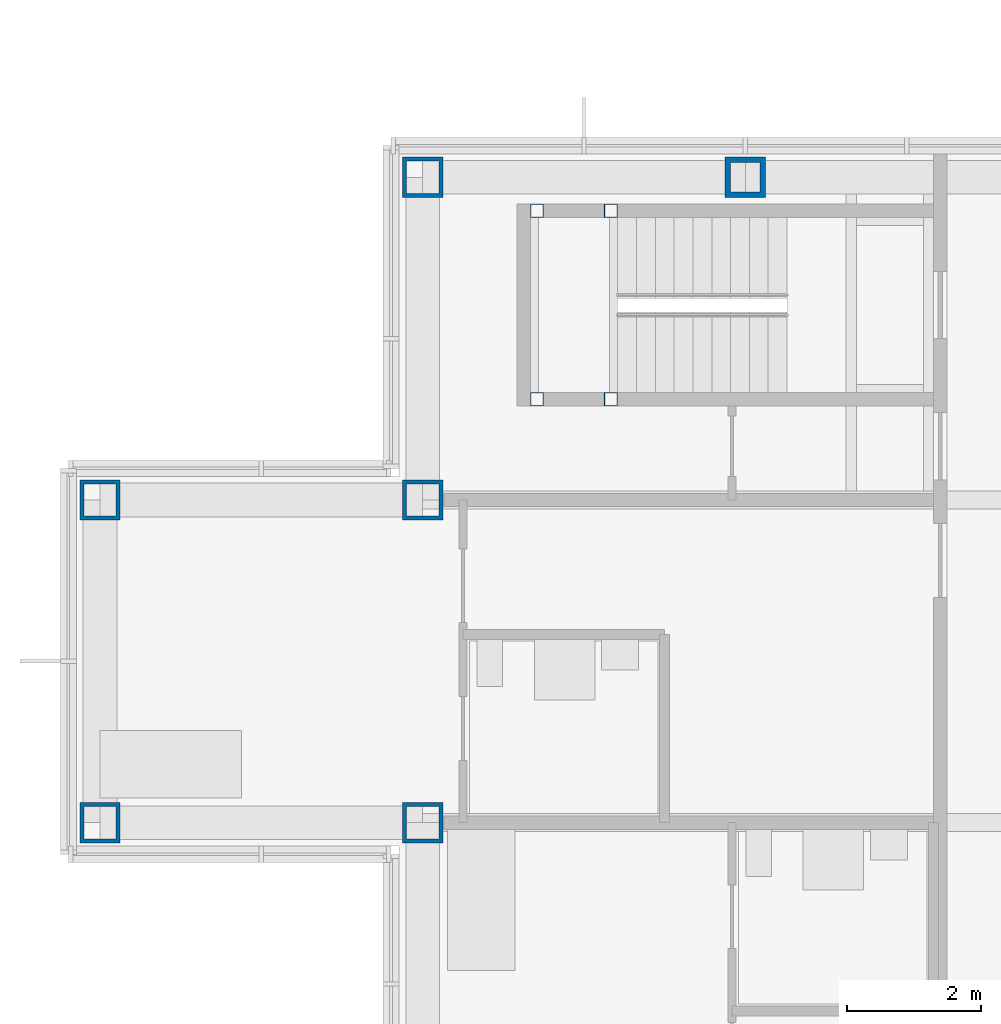
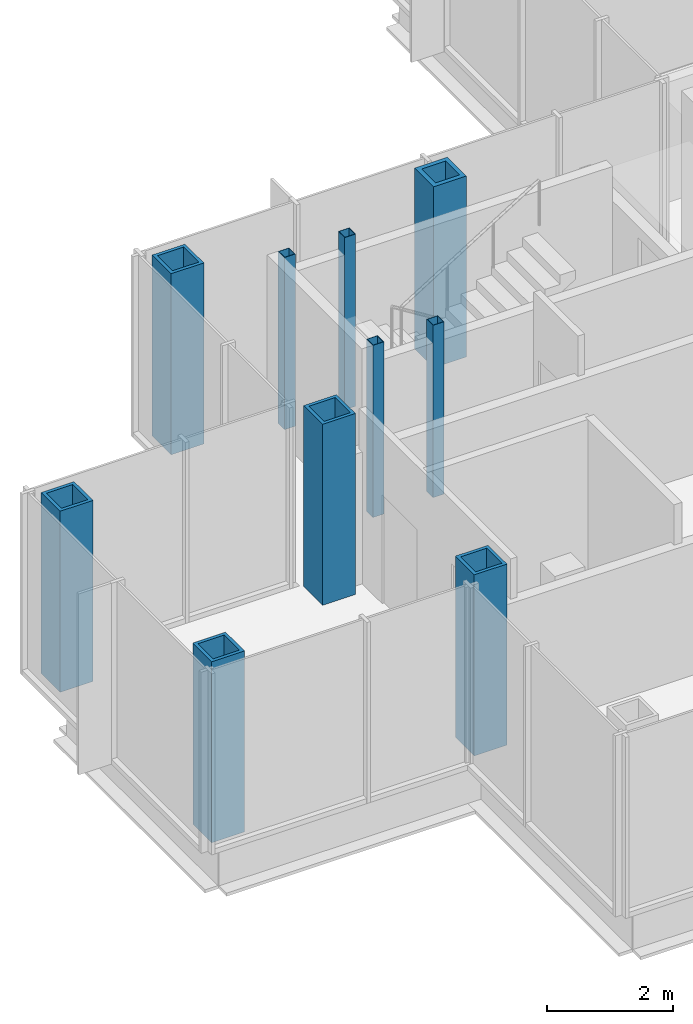
# One storey, part 3 of 17: 10 columns.
"""IFC4 building model written with IfcOpenShell, lengths in metres."""

from ifc_helpers import new_model, si_unit, direction, frame, origin, origin_2d, place, context, subcontext, project, spatial, hollow_rectangle, extrude, material, material_profile, profile_set, type_object, element, save


model = new_model("IFC4")

# Units and contexts
model_context = context("Model", 3, precision=1e-05, world=origin(), true_north=direction((0.0, 1.0)))
body_context = subcontext(model_context, "Body", "Model", "MODEL_VIEW")
ifc_project = project(units=[si_unit("LENGTHUNIT", "METRE"), si_unit("AREAUNIT", "SQUARE_METRE"), si_unit("VOLUMEUNIT", "CUBIC_METRE"), si_unit("PLANEANGLEUNIT", "RADIAN"), si_unit("MASSUNIT", "GRAM", prefix="KILO")], contexts=[model_context])

# Site, building, storey
site_placement = place(None, origin())
site = spatial("IfcSite", under=ifc_project, at=site_placement, CompositionType="ELEMENT")
building_placement = place(site_placement, origin())
building = spatial("IfcBuilding", under=site, at=building_placement, Name="Kvirike Care Tower", CompositionType="ELEMENT")
storey_placement = place(building_placement, frame((0.0, 0.0, 155.0)))
storey = spatial("IfcBuildingStorey", under=building, at=storey_placement, Name="L42", CompositionType="ELEMENT", Elevation=155.0)

# Columns
ifc_material_1 = material(Name="Steel S460", Category="steel")
ifc_material_profile_1 = material_profile(ifc_material_1, hollow_rectangle(XDim=0.60009765625, YDim=0.60009765625, WallThickness=0.06005859375, at=origin_2d()), Name="BX 600x600x60")
ifc_profile_set_1 = profile_set([ifc_material_profile_1], Name="Steel S460")
column_type_1 = type_object("IfcColumnType", Name="COLUMN BX 600x600x60", PredefinedType="COLUMN", material=ifc_profile_set_1)
for number, where, z_axis, x_axis, name in (
    (1, (0.0, 33.60009765625, 0.0), (0.0, 0.0, 1.0), (0.0, 1.0, 0.0), "Column H3 L42"),
    (2, (0.0, 38.39990234375, 0.0), (0.0, 0.0, 1.0), (0.0, 1.0, 0.0), "Column J3 L42"),
    (3, (4.800048828125, 33.60009765625, 0.0), (0.0, 0.0, 1.0), (0.0, 1.0, 0.0), "Column H4 L42"),
    (4, (4.800048828125, 38.39990234375, 0.0), (0.0, 0.0, 1.0), (0.0, 1.0, 0.0), "Column J4 L42"),
    (5, (4.800048828125, 43.199951171875, 0.0), (0.0, 0.0, 1.0), (0.0, 1.0, 0.0), "Column K4 L42"),
):
    element("IfcColumn", number, at=place(storey_placement, frame(where, z_axis=z_axis, x_axis=x_axis)), inside=storey, type_object=column_type_1, Name=name, PredefinedType="COLUMN", context=body_context, shape_type="SweptSolid", body=[
        extrude(hollow_rectangle(XDim=0.60009765625, YDim=0.60009765625, WallThickness=0.06005859375, at=origin_2d()), origin(), (0.0, 0.0, 1.0), 3.5),
    ])
ifc_material_2 = material(Name="Steel S460", Category="steel")
ifc_material_profile_2 = material_profile(ifc_material_2, hollow_rectangle(XDim=0.60009765625, YDim=0.60009765625, WallThickness=0.080078125, at=origin_2d()), Name="BX 600x600x80")
ifc_profile_set_2 = profile_set([ifc_material_profile_2], Name="Steel S460")
column_type_2 = type_object("IfcColumnType", Name="COLUMN BX 600x600x80", PredefinedType="COLUMN", material=ifc_profile_set_2)
column_placement = place(storey_placement, frame((9.60009765625, 43.199951171875, 0.0), z_axis=(0.0, 0.0, 1.0), x_axis=(0.0, 1.0, 0.0)))
element("IfcColumn", 6, at=column_placement, inside=storey, type_object=column_type_2, Name="Column K5 L42", PredefinedType="COLUMN", context=body_context, shape_type="SweptSolid", body=[
    extrude(hollow_rectangle(XDim=0.60009765625, YDim=0.60009765625, WallThickness=0.080078125, at=origin_2d()), origin(), (0.0, 0.0, 1.0), 3.5),
])
ifc_material_3 = material(Name="Steel S460", Category="steel")
ifc_material_profile_3 = material_profile(ifc_material_3, hollow_rectangle(XDim=0.199951171875, YDim=0.199951171875, WallThickness=0.008056640625, at=origin_2d()), Name="SHS 200x200x8")
ifc_profile_set_3 = profile_set([ifc_material_profile_3], Name="Steel S460")
column_type_3 = type_object("IfcColumnType", Name="STAIR POST SHS 200x200x8", PredefinedType="COLUMN", material=ifc_profile_set_3)
for number, where, z_axis, x_axis, name in (
    (7, (6.5, 42.699951171875, 0.0), (0.0, 0.0, 1.0), (1.0, 0.0, 0.0), "Stair 1 post 1 L42"),
    (8, (6.5, 39.89990234375, 0.0), (0.0, 0.0, 1.0), (1.0, 0.0, 0.0), "Stair 1 post 2 L42"),
    (9, (7.60009765625, 42.699951171875, 0.0), (0.0, 0.0, 1.0), (1.0, 0.0, 0.0), "Stair 1 post 3 L42"),
    (10, (7.60009765625, 39.89990234375, 0.0), (0.0, 0.0, 1.0), (1.0, 0.0, 0.0), "Stair 1 post 4 L42"),
):
    element("IfcColumn", number, at=place(storey_placement, frame(where, z_axis=z_axis, x_axis=x_axis)), inside=storey, type_object=column_type_3, Name=name, PredefinedType="COLUMN", context=body_context, shape_type="SweptSolid", body=[
        extrude(hollow_rectangle(XDim=0.199951171875, YDim=0.199951171875, WallThickness=0.008056640625, at=origin_2d()), origin(), (0.0, 0.0, 1.0), 3.330078125),
    ])

save(model, "model.ifc")
